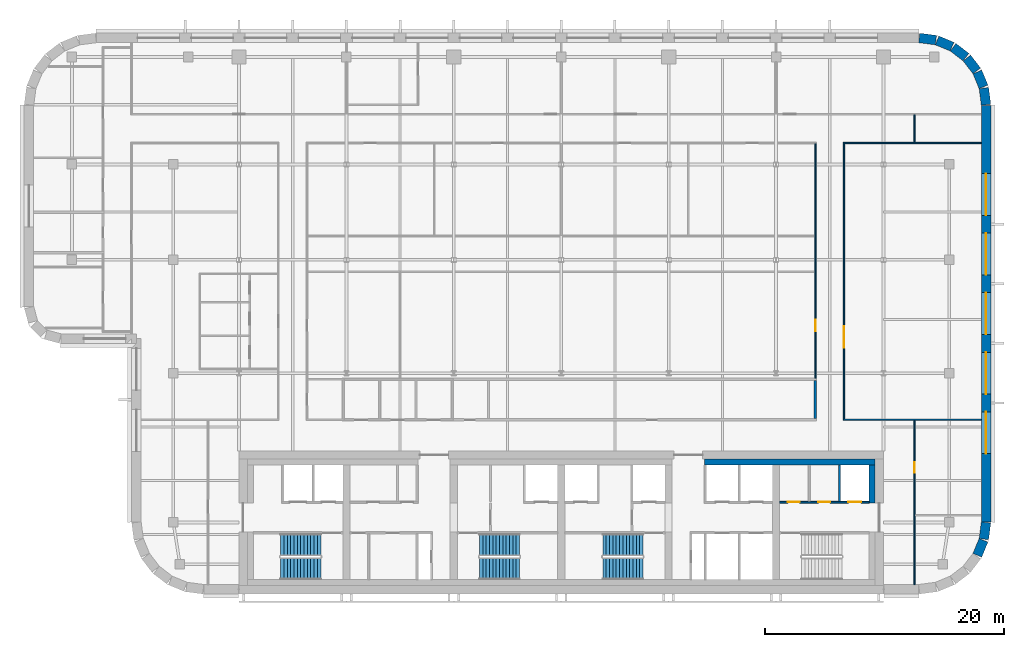
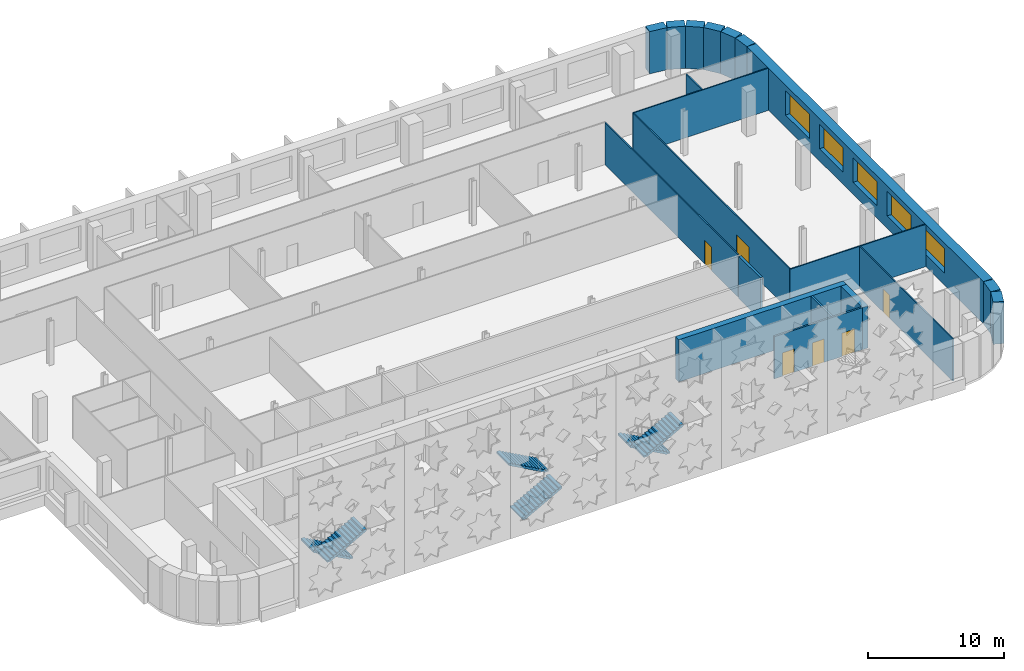
# One storey, part 12 of 18: 20 walls, 6 doors, 6 stair flights, 5 windows, 11 openings, 3 elements without a shape of their own.
"""IFC4 building model written with IfcOpenShell, lengths in metres."""

import ifcopenshell
import ifcopenshell.guid

model = None  # the IFC model being written
_history = None  # IfcOwnerHistory: only IFC2X3 demands one
_inside = {}  # id of a spatial element -> (the spatial element, [elements in it])
_under = {}  # id of a project, library or spatial element -> (it, [spatial elements below it])
_declared = {}  # id of a project -> (the project, [libraries it declares])
_typed = {}  # id of a type object -> (the type object, [elements of that type])
_made_of = {}  # id of a material, layer set ... -> (it, [elements and type objects made of it])


def new_model(schema):
    """Start an empty IFC model of exactly this schema.

    Asked for "IFC4X3", IfcOpenShell would pick the latest addendum, in which some entities
    have other attributes; the version numbers below select the first issue.
    IFC2X3 requires an IfcOwnerHistory on every rooted entity: one is made here for all.
    """
    global model, _history
    if schema == "IFC4X3":
        model = ifcopenshell.file(schema_version=(4, 3, 0, 0))
    else:
        model = ifcopenshell.file(schema=schema)
    _inside.clear()
    _under.clear()
    _declared.clear()
    _typed.clear()
    _made_of.clear()
    _history = None
    if model.schema == "IFC2X3":
        org = make("IfcOrganization", Name="unknown")
        user = make(
            "IfcPersonAndOrganization",
            ThePerson=make("IfcPerson", FamilyName="unknown"),
            TheOrganization=org,
        )
        app = make(
            "IfcApplication",
            ApplicationDeveloper=org,
            Version="unknown",
            ApplicationFullName="unknown",
            ApplicationIdentifier="unknown",
        )
        _history = make(
            "IfcOwnerHistory",
            OwningUser=user,
            OwningApplication=app,
            ChangeAction="ADDED",
            CreationDate=0,
        )
    return model


def make(cls, **values):
    """One entity of the class cls with the attributes given. An attribute that is None is left unset."""
    return model.create_entity(
        cls, **{name: value for name, value in values.items() if value is not None}
    )


def rooted(cls, **values):
    """An entity with a GlobalId (a new one), such as an element, a storey or a relation."""
    return make(cls, GlobalId=ifcopenshell.guid.new(), OwnerHistory=_history, **values)


def si_unit(unit_type, name, prefix=None):
    """IfcSIUnit, for example si_unit("LENGTHUNIT", "METRE", prefix="MILLI")."""
    return make("IfcSIUnit", UnitType=unit_type, Prefix=prefix, Name=name)


def assignment(units):
    """IfcUnitAssignment: the units of a project."""
    return None if units is None else make("IfcUnitAssignment", Units=units)


def point(xyz):
    """IfcCartesianPoint."""
    return None if xyz is None else make("IfcCartesianPoint", Coordinates=xyz)


def direction(xyz):
    """IfcDirection."""
    return None if xyz is None else make("IfcDirection", DirectionRatios=xyz)


def frame(location, z_axis=None, x_axis=None):
    """IfcAxis2Placement3D, a coordinate frame: its origin and axes. An axis left out is left unset."""
    return make(
        "IfcAxis2Placement3D",
        Location=point(location),
        Axis=direction(z_axis),
        RefDirection=direction(x_axis),
    )


def frame_2d(location, x_axis=None):
    """IfcAxis2Placement2D, a coordinate frame in the plane: its origin and x axis."""
    return make(
        "IfcAxis2Placement2D", Location=point(location), RefDirection=direction(x_axis)
    )


def origin():
    """The frame at (0, 0, 0) with its axes left unset."""
    return frame((0.0, 0.0, 0.0))


def place(relative_to, where):
    """IfcLocalPlacement: puts the frame where relative to a parent placement (None: the world)."""
    return make(
        "IfcLocalPlacement", PlacementRelTo=relative_to, RelativePlacement=where
    )


def context(
    kind, dimensions, precision=None, world=None, true_north=None, identifier=None
):
    """IfcGeometricRepresentationContext, for example the 3D "Model" context."""
    return make(
        "IfcGeometricRepresentationContext",
        ContextIdentifier=identifier,
        ContextType=kind,
        CoordinateSpaceDimension=dimensions,
        Precision=precision,
        WorldCoordinateSystem=world,
        TrueNorth=true_north,
    )


def subcontext(parent, identifier, kind, view, scale=None):
    """IfcGeometricRepresentationSubContext, for example "Body" below "Model"."""
    return make(
        "IfcGeometricRepresentationSubContext",
        ContextIdentifier=identifier,
        ContextType=kind,
        ParentContext=parent,
        TargetScale=scale,
        TargetView=view,
    )


def project(units=None, contexts=None):
    """IfcProject with its units and contexts."""
    return rooted(
        "IfcProject",
        Name="project",
        RepresentationContexts=contexts,
        UnitsInContext=assignment(units),
    )


def spatial(cls, under=None, at=None, **own):
    """A site, building, storey or space (cls), placed at a placement, below another one or the project."""
    s = rooted(cls, ObjectPlacement=at, **own)
    if under is not None:
        _under.setdefault(under.id(), (under, []))[1].append(s)
    return s


def polyline(points):
    """IfcPolyline through the points."""
    return make("IfcPolyline", Points=[point(p) for p in points])


def profile(cls, at=None, kind="AREA", **sizes):
    """A parametric profile (cls). Its sizes go by their IFC names, for example OverallWidth=200.0."""
    return make(cls, ProfileType=kind, Position=at, **sizes)


def rectangle(**sizes):
    """IfcRectangleProfileDef."""
    return profile("IfcRectangleProfileDef", **sizes)


def outline(outer, holes=None, kind="AREA"):
    """IfcArbitraryClosedProfileDef: a profile drawn as a closed curve; with holes, ...WithVoids."""
    if holes is None:
        return make("IfcArbitraryClosedProfileDef", ProfileType=kind, OuterCurve=outer)
    return make(
        "IfcArbitraryProfileDefWithVoids",
        ProfileType=kind,
        OuterCurve=outer,
        InnerCurves=holes,
    )


def extrude(swept, where, along, depth):
    """IfcExtrudedAreaSolid: the profile swept, set in the frame where, extruded along a direction by depth."""
    return make(
        "IfcExtrudedAreaSolid",
        SweptArea=swept,
        Position=where,
        ExtrudedDirection=direction(along),
        Depth=depth,
    )


def shape(context_of_items, identifier, shape_type, items):
    """IfcShapeRepresentation: the items that make up one representation, for example the "Body"."""
    return make(
        "IfcShapeRepresentation",
        ContextOfItems=context_of_items,
        RepresentationIdentifier=identifier,
        RepresentationType=shape_type,
        Items=items,
    )


def material(Name=None, Category=None):
    """IfcMaterial."""
    return make("IfcMaterial", Name=Name, Category=Category)


def layer(
    of_material, thickness, ventilated=None, Name=None, Category=None, Priority=None
):
    """IfcMaterialLayer: one layer of a wall or slab, of a material (None: an air gap)."""
    return make(
        "IfcMaterialLayer",
        Material=of_material,
        LayerThickness=thickness,
        IsVentilated=ventilated,
        Name=Name,
        Category=Category,
        Priority=Priority,
    )


def layer_set(layers, Name=None):
    """IfcMaterialLayerSet."""
    return make("IfcMaterialLayerSet", MaterialLayers=layers, LayerSetName=Name)


def made_of(thing, what):
    """Note that an element or type object is made of a material, layer set ...; save() writes the relation."""
    if what is not None:
        _made_of.setdefault(what.id(), (what, []))[1].append(thing)
    return thing


def type_object(cls, material=None, **own):
    """A type object (cls), such as IfcWallType, which elements share."""
    return made_of(rooted(cls, **own), material)


def element(
    cls,
    number,
    at=None,
    inside=None,
    cuts=None,
    type_object=None,
    material=None,
    context=None,
    identifier="Body",
    shape_type=None,
    held_by="IfcProductDefinitionShape",
    body=None,
    shapes=None,
    **own,
):
    """One element of the class cls, such as IfcWall. Its Tag is "e" and its number.

    at: its placement. inside: the storey or other place that contains it. cuts: it is an
    opening in that element (IfcRelVoidsElement). A single representation is given by context,
    identifier, shape_type and body (its items); several are given by shapes. held_by: the class
    of the entity that holds the representations. save() writes the other relations.
    """
    e = rooted(cls, Tag="e%d" % number, ObjectPlacement=at, **own)
    if body is not None:
        shapes = [shape(context, identifier, shape_type, body)]
    if shapes is not None:
        e.Representation = make(held_by, Representations=shapes)
    if inside is not None:
        _inside.setdefault(inside.id(), (inside, []))[1].append(e)
    if cuts is not None:
        rooted(
            "IfcRelVoidsElement", RelatingBuildingElement=cuts, RelatedOpeningElement=e
        )
    if type_object is not None:
        _typed.setdefault(type_object.id(), (type_object, []))[1].append(e)
    return made_of(e, material)


def fill(opening, filler):
    """IfcRelFillsElement: the door or window that sits in an opening."""
    return rooted(
        "IfcRelFillsElement",
        RelatingOpeningElement=opening,
        RelatedBuildingElement=filler,
    )


def aggregate(whole, parts):
    """IfcRelAggregates: a whole, such as a stair, and the parts it consists of."""
    return rooted("IfcRelAggregates", RelatingObject=whole, RelatedObjects=parts)


def save(model, path):
    """Write the relations noted so far, then the file.

    IfcRelAggregates (storeys below a building ...), IfcRelContainedInSpatialStructure (elements
    in a storey), IfcRelDefinesByType, IfcRelAssociatesMaterial and IfcRelDeclares: one each for
    every whole, place, type object, material and project.
    """
    for whole, parts in _under.values():
        aggregate(whole, parts)
    for where, things in _inside.values():
        rooted(
            "IfcRelContainedInSpatialStructure",
            RelatedElements=things,
            RelatingStructure=where,
        )
    for kind, things in _typed.values():
        rooted("IfcRelDefinesByType", RelatedObjects=things, RelatingType=kind)
    for what, things in _made_of.values():
        rooted("IfcRelAssociatesMaterial", RelatedObjects=things, RelatingMaterial=what)
    for by, libraries in _declared.values():
        rooted("IfcRelDeclares", RelatingContext=by, RelatedDefinitions=libraries)
    model.write(path)


model = new_model("IFC4")

# Units and contexts
model_context = context("Model", 3, precision=1e-05, world=origin(), true_north=direction((0.0, 1.0)))
body_context = subcontext(model_context, "Body", "Model", "MODEL_VIEW")
ifc_project = project(units=[si_unit("LENGTHUNIT", "METRE"), si_unit("AREAUNIT", "SQUARE_METRE"), si_unit("VOLUMEUNIT", "CUBIC_METRE"), si_unit("PLANEANGLEUNIT", "RADIAN"), si_unit("MASSUNIT", "GRAM", prefix="KILO")], contexts=[model_context])

# Site, building, storey
site_placement = place(None, origin())
site = spatial("IfcSite", under=ifc_project, at=site_placement, CompositionType="ELEMENT")
building_placement = place(site_placement, origin())
building = spatial("IfcBuilding", under=site, at=building_placement, Name="Zellij Exchange Tower", CompositionType="ELEMENT")
storey_placement = place(building_placement, frame((0.0, 0.0, 240.5)))
storey = spatial("IfcBuildingStorey", under=building, at=storey_placement, Name="L56", CompositionType="ELEMENT", Elevation=240.5)

# Walls
ifc_material_1 = material(Name="Concrete C30/37", Category="concrete")
ifc_layer_1 = layer(ifc_material_1, 0.5)
ifc_layer_set_1 = layer_set([ifc_layer_1], Name="Concrete C30/37")
wall_type_1 = type_object("IfcWallType", Name="CORE-LW 500 C30/37", PredefinedType="SHEAR", material=ifc_layer_set_1)
wall_1_placement = place(storey_placement, frame((12.0, -2.949951171875, 0.0), z_axis=(0.0, 0.0, 1.0), x_axis=(1.0, 0.0, 0.0)))
element("IfcWall", 1, at=wall_1_placement, inside=storey, type_object=wall_type_1, Name="Core wall lining front.2 L56", PredefinedType="SHEAR", context=body_context, shape_type="SweptSolid", body=[
    extrude(rectangle(XDim=14.300048828125, YDim=0.5, at=frame_2d((7.14990234375, 0.0))), origin(), (0.0, 0.0, 1.0), 3.800048828125),
])
wall_2_placement = place(storey_placement, frame((26.050048828125, -6.375, 0.0), z_axis=(0.0, 0.0, 1.0), x_axis=(0.0, 1.0, 0.0)))
element("IfcWall", 2, at=wall_2_placement, inside=storey, type_object=wall_type_1, Name="Core wall lining end e.1 L56", PredefinedType="SHEAR", context=body_context, shape_type="SweptSolid", body=[
    extrude(rectangle(XDim=3.175048828125, YDim=0.5, at=frame_2d((1.58740234375, 0.0))), origin(), (0.0, 0.0, 1.0), 3.800048828125),
])
ifc_material_2 = material(Name="Gypsum shaft wall system")
ifc_layer_2 = layer(ifc_material_2, 0.14990234375)
ifc_layer_set_2 = layer_set([ifc_layer_2], Name="Gypsum shaft wall system")
wall_type_2 = type_object("IfcWallType", Name="CORE-PW 150 Lift shaft wall", PredefinedType="PARTITIONING", material=ifc_layer_set_2)
wall_3_placement = place(storey_placement, frame((23.324951171875, -6.22509765625, 0.0), z_axis=(0.0, 0.0, 1.0), x_axis=(0.0, 1.0, 0.0)))
element("IfcWall", 3, at=wall_3_placement, inside=storey, type_object=wall_type_2, Name="Lift shaft wall L56", PredefinedType="PARTITIONING", context=body_context, shape_type="SweptSolid", body=[
    extrude(rectangle(XDim=3.025146484375, YDim=0.14990234375, at=frame_2d((1.5126953125, 0.0))), origin(), (0.0, 0.0, 1.0), 3.800048828125),
])

# Wall, openings, doors
wall_4_placement = place(storey_placement, frame((18.300048828125, -6.300048828125, 0.0), z_axis=(0.0, 0.0, 1.0), x_axis=(1.0, 0.0, 0.0)))
wall_4 = element("IfcWall", 4, at=wall_4_placement, inside=storey, type_object=wall_type_2, Name="Lift shaft wall L56", PredefinedType="PARTITIONING", context=body_context, shape_type="SweptSolid", body=[
    extrude(rectangle(XDim=7.5, YDim=0.14990234375, at=frame_2d((3.75, 0.0))), origin(), (0.0, 0.0, 1.0), 3.800048828125),
])
opening_1_placement = place(wall_4_placement, frame((0.699951171875, 0.0, 0.0)))
opening_1 = element("IfcOpeningElement", 5, at=opening_1_placement, cuts=wall_4, Name="Opening CA-29.25", PredefinedType="OPENING", context=body_context, shape_type="SweptSolid", body=[
    extrude(rectangle(XDim=1.0, YDim=2.10009765625, at=frame_2d((0.5, 1.050048828125))), frame((0.0, 0.0869140625, 0.0), z_axis=(0.0, -1.0, 0.0), x_axis=(1.0, 0.0, 0.0)), (0.0, 0.0, 1.0), 0.173828125),
])
opening_2_placement = place(wall_4_placement, frame((3.25, 0.0, 0.0)))
opening_2 = element("IfcOpeningElement", 6, at=opening_2_placement, cuts=wall_4, Name="Opening CA-29.26", PredefinedType="OPENING", context=body_context, shape_type="SweptSolid", body=[
    extrude(rectangle(XDim=1.0, YDim=2.10009765625, at=frame_2d((0.5, 1.050048828125))), frame((0.0, 0.0869140625, 0.0), z_axis=(0.0, -1.0, 0.0), x_axis=(1.0, 0.0, 0.0)), (0.0, 0.0, 1.0), 0.173828125),
])
opening_3_placement = place(wall_4_placement, frame((5.75, 0.0, 0.0)))
opening_3 = element("IfcOpeningElement", 7, at=opening_3_placement, cuts=wall_4, Name="Opening CA-29.27", PredefinedType="OPENING", context=body_context, shape_type="SweptSolid", body=[
    extrude(rectangle(XDim=1.10009765625, YDim=2.10009765625, at=frame_2d((0.550048828125, 1.050048828125))), frame((0.0, 0.0869140625, 0.0), z_axis=(0.0, -1.0, 0.0), x_axis=(1.0, 0.0, 0.0)), (0.0, 0.0, 1.0), 0.173828125),
])
ifc_material_3 = material(Name="Hollow metal fire door")
door_type_1 = type_object("IfcDoorType", Name="CORE-D CD Core room door 1000x2100 1 HR", OperationType="NOTDEFINED", PredefinedType="DOOR", material=ifc_material_3)
door_1_placement = place(opening_1_placement, origin())
door_1 = element("IfcDoor", 8, at=door_1_placement, inside=storey, type_object=door_type_1, Name="Core room door CA-29.25", OperationType="SINGLE_SWING_LEFT", OverallHeight=2.10009765625, OverallWidth=1.0, PredefinedType="DOOR", context=body_context, shape_type="SweptSolid", body=[
    extrude(rectangle(XDim=1.0, YDim=2.10009765625, at=frame_2d((0.5, 1.050048828125))), frame((0.0, 0.02490234375, 0.0), z_axis=(0.0, -1.0, 0.0), x_axis=(1.0, 0.0, 0.0)), (0.0, 0.0, 1.0), 0.050048828125),
])
fill(opening_1, door_1)
door_type_2 = type_object("IfcDoorType", Name="CORE-D CDA Core room door 1000x2100 1.5 HR", OperationType="NOTDEFINED", PredefinedType="DOOR", material=ifc_material_3)
door_2_placement = place(opening_2_placement, origin())
door_2 = element("IfcDoor", 9, at=door_2_placement, inside=storey, type_object=door_type_2, Name="Core room door CA-29.26", OperationType="SINGLE_SWING_LEFT", OverallHeight=2.10009765625, OverallWidth=1.0, PredefinedType="DOOR", context=body_context, shape_type="SweptSolid", body=[
    extrude(rectangle(XDim=1.0, YDim=2.10009765625, at=frame_2d((0.5, 1.050048828125))), frame((0.0, 0.02490234375, 0.0), z_axis=(0.0, -1.0, 0.0), x_axis=(1.0, 0.0, 0.0)), (0.0, 0.0, 1.0), 0.050048828125),
])
fill(opening_2, door_2)
door_type_3 = type_object("IfcDoorType", Name="CORE-D LD Lift landing door 1100x2100 1.5 HR", OperationType="NOTDEFINED", PredefinedType="DOOR", material=ifc_material_3)
door_3_placement = place(opening_3_placement, origin())
door_3 = element("IfcDoor", 10, at=door_3_placement, inside=storey, type_object=door_type_3, Name="Lift landing door CA-29.27", OperationType="SLIDING_TO_LEFT", OverallHeight=2.10009765625, OverallWidth=1.10009765625, PredefinedType="DOOR", context=body_context, shape_type="SweptSolid", body=[
    extrude(rectangle(XDim=1.10009765625, YDim=2.10009765625, at=frame_2d((0.550048828125, 1.050048828125))), frame((0.0, 0.02490234375, 0.0), z_axis=(0.0, -1.0, 0.0), x_axis=(1.0, 0.0, 0.0)), (0.0, 0.0, 1.0), 0.050048828125),
])
fill(opening_3, door_3)

# Walls
ifc_material_4 = material(Name="Precast concrete C40/50", Category="concrete")
ifc_layer_3 = layer(ifc_material_4, 0.800048828125)
ifc_layer_set_3 = layer_set([ifc_layer_3], Name="Precast concrete C40/50")
wall_type_3 = type_object("IfcWallType", Name="ENV-EW1 Precast stone-piered wall 800", PredefinedType="SOLIDWALL", material=ifc_layer_set_3)
wall_5_placement = place(storey_placement, frame((34.866943359375, -10.74951171875, 0.0), z_axis=(0.0, 0.0, 1.0), x_axis=(0.38276009378, 0.923847774587, 0.0)))
element("IfcWall", 11, at=wall_5_placement, inside=storey, type_object=wall_type_3, Name="fac.L56.05", PredefinedType="SOLIDWALL", context=body_context, shape_type="SweptSolid", body=[
    extrude(rectangle(XDim=1.35546875, YDim=0.800048828125, at=frame_2d((0.677734375, 0.0))), origin(), (0.0, 0.0, 1.0), 3.800048828125),
])
wall_6_placement = place(storey_placement, frame((35.412841796875, -9.396240234375, 0.0), z_axis=(0.0, 0.0, 1.0), x_axis=(0.130517283865, 0.99144603414, 0.0)))
element("IfcWall", 12, at=wall_6_placement, inside=storey, type_object=wall_type_3, Name="fac.L56.06", PredefinedType="SOLIDWALL", context=body_context, shape_type="SweptSolid", body=[
    extrude(rectangle(XDim=1.408447265625, YDim=0.800048828125, at=frame_2d((0.7041015625, 0.0))), origin(), (0.0, 0.0, 1.0), 3.800048828125),
])

# Wall, openings, windows
wall_7_placement = place(storey_placement, frame((35.60009765625, -7.947509765625, 0.0), z_axis=(0.0, 0.0, 1.0), x_axis=(0.0, 1.0, 0.0)))
wall_7 = element("IfcWall", 13, at=wall_7_placement, inside=storey, type_object=wall_type_3, Name="fac.L56.07", PredefinedType="SOLIDWALL", context=body_context, shape_type="SweptSolid", body=[
    extrude(rectangle(XDim=34.89501953125, YDim=0.800048828125, at=frame_2d((17.447509765625, 0.0))), origin(), (0.0, 0.0, 1.0), 3.800048828125),
])
opening_4_placement = place(wall_7_placement, frame((5.71240234375, 0.0, 1.10009765625)))
opening_4 = element("IfcOpeningElement", 14, at=opening_4_placement, cuts=wall_7, Name="Opening FZ4.01", PredefinedType="OPENING", context=body_context, shape_type="SweptSolid", body=[
    extrude(rectangle(XDim=3.5, YDim=2.199951171875, at=frame_2d((1.75, 1.10009765625))), frame((0.0, 0.412109375, 0.0), z_axis=(0.0, -1.0, 0.0), x_axis=(1.0, 0.0, 0.0)), (0.0, 0.0, 1.0), 0.823974609375),
])
opening_5_placement = place(wall_7_placement, frame((10.705078125, 0.0, 1.10009765625)))
opening_5 = element("IfcOpeningElement", 15, at=opening_5_placement, cuts=wall_7, Name="Opening FZ4.02", PredefinedType="OPENING", context=body_context, shape_type="SweptSolid", body=[
    extrude(rectangle(XDim=3.5, YDim=2.199951171875, at=frame_2d((1.75, 1.10009765625))), frame((0.0, 0.412109375, 0.0), z_axis=(0.0, -1.0, 0.0), x_axis=(1.0, 0.0, 0.0)), (0.0, 0.0, 1.0), 0.823974609375),
])
opening_6_placement = place(wall_7_placement, frame((15.697509765625, 0.0, 1.10009765625)))
opening_6 = element("IfcOpeningElement", 16, at=opening_6_placement, cuts=wall_7, Name="Opening FZ4.03", PredefinedType="OPENING", context=body_context, shape_type="SweptSolid", body=[
    extrude(rectangle(XDim=3.5, YDim=2.199951171875, at=frame_2d((1.75, 1.10009765625))), frame((0.0, 0.412109375, 0.0), z_axis=(0.0, -1.0, 0.0), x_axis=(1.0, 0.0, 0.0)), (0.0, 0.0, 1.0), 0.823974609375),
])
opening_7_placement = place(wall_7_placement, frame((20.690185546875, 0.0, 1.10009765625)))
opening_7 = element("IfcOpeningElement", 17, at=opening_7_placement, cuts=wall_7, Name="Opening FZ4.04", PredefinedType="OPENING", context=body_context, shape_type="SweptSolid", body=[
    extrude(rectangle(XDim=3.5, YDim=2.199951171875, at=frame_2d((1.75, 1.10009765625))), frame((0.0, 0.412109375, 0.0), z_axis=(0.0, -1.0, 0.0), x_axis=(1.0, 0.0, 0.0)), (0.0, 0.0, 1.0), 0.823974609375),
])
opening_8_placement = place(wall_7_placement, frame((25.6826171875, 0.0, 1.10009765625)))
opening_8 = element("IfcOpeningElement", 18, at=opening_8_placement, cuts=wall_7, Name="Opening FZ4.05", PredefinedType="OPENING", context=body_context, shape_type="SweptSolid", body=[
    extrude(rectangle(XDim=3.5, YDim=2.199951171875, at=frame_2d((1.75, 1.10009765625))), frame((0.0, 0.412109375, 0.0), z_axis=(0.0, -1.0, 0.0), x_axis=(1.0, 0.0, 0.0)), (0.0, 0.0, 1.0), 0.823974609375),
])
ifc_material_5 = material(Name="Aluminium frame with insulating glass", Category="aluminium")
window_type = type_object("IfcWindowType", Name="ENV-W7 Window 3500x2200", PartitioningType="SINGLE_PANEL", PredefinedType="WINDOW", material=ifc_material_5)
window_1_placement = place(opening_4_placement, origin())
window_1 = element("IfcWindow", 19, at=window_1_placement, inside=storey, type_object=window_type, Name="Window FZ4.01", OverallHeight=2.199951171875, OverallWidth=3.5, PartitioningType="SINGLE_PANEL", PredefinedType="WINDOW", context=body_context, shape_type="SweptSolid", body=[
    extrude(rectangle(XDim=3.5, YDim=2.199951171875, at=frame_2d((1.75, 1.10009765625))), frame((0.0, 0.030029296875, 0.0), z_axis=(0.0, -1.0, 0.0), x_axis=(1.0, 0.0, 0.0)), (0.0, 0.0, 1.0), 0.06005859375),
])
fill(opening_4, window_1)
window_2_placement = place(opening_5_placement, origin())
window_2 = element("IfcWindow", 20, at=window_2_placement, inside=storey, type_object=window_type, Name="Window FZ4.02", OverallHeight=2.199951171875, OverallWidth=3.5, PartitioningType="SINGLE_PANEL", PredefinedType="WINDOW", context=body_context, shape_type="SweptSolid", body=[
    extrude(rectangle(XDim=3.5, YDim=2.199951171875, at=frame_2d((1.75, 1.10009765625))), frame((0.0, 0.030029296875, 0.0), z_axis=(0.0, -1.0, 0.0), x_axis=(1.0, 0.0, 0.0)), (0.0, 0.0, 1.0), 0.06005859375),
])
fill(opening_5, window_2)
window_3_placement = place(opening_6_placement, origin())
window_3 = element("IfcWindow", 21, at=window_3_placement, inside=storey, type_object=window_type, Name="Window FZ4.03", OverallHeight=2.199951171875, OverallWidth=3.5, PartitioningType="SINGLE_PANEL", PredefinedType="WINDOW", context=body_context, shape_type="SweptSolid", body=[
    extrude(rectangle(XDim=3.5, YDim=2.199951171875, at=frame_2d((1.75, 1.10009765625))), frame((0.0, 0.030029296875, 0.0), z_axis=(0.0, -1.0, 0.0), x_axis=(1.0, 0.0, 0.0)), (0.0, 0.0, 1.0), 0.06005859375),
])
fill(opening_6, window_3)
window_4_placement = place(opening_7_placement, origin())
window_4 = element("IfcWindow", 22, at=window_4_placement, inside=storey, type_object=window_type, Name="Window FZ4.04", OverallHeight=2.199951171875, OverallWidth=3.5, PartitioningType="SINGLE_PANEL", PredefinedType="WINDOW", context=body_context, shape_type="SweptSolid", body=[
    extrude(rectangle(XDim=3.5, YDim=2.199951171875, at=frame_2d((1.75, 1.10009765625))), frame((0.0, 0.030029296875, 0.0), z_axis=(0.0, -1.0, 0.0), x_axis=(1.0, 0.0, 0.0)), (0.0, 0.0, 1.0), 0.06005859375),
])
fill(opening_7, window_4)
window_5_placement = place(opening_8_placement, origin())
window_5 = element("IfcWindow", 23, at=window_5_placement, inside=storey, type_object=window_type, Name="Window FZ4.05", OverallHeight=2.199951171875, OverallWidth=3.5, PartitioningType="SINGLE_PANEL", PredefinedType="WINDOW", context=body_context, shape_type="SweptSolid", body=[
    extrude(rectangle(XDim=3.5, YDim=2.199951171875, at=frame_2d((1.75, 1.10009765625))), frame((0.0, 0.030029296875, 0.0), z_axis=(0.0, -1.0, 0.0), x_axis=(1.0, 0.0, 0.0)), (0.0, 0.0, 1.0), 0.06005859375),
])
fill(opening_8, window_5)

# Walls
wall_8_placement = place(storey_placement, frame((35.5966796875, 26.999755859375, 0.0), z_axis=(0.0, 0.0, 1.0), x_axis=(-0.130517283865, 0.99144603414, 0.0)))
element("IfcWall", 24, at=wall_8_placement, inside=storey, type_object=wall_type_3, Name="fac.L56.08", PredefinedType="SOLIDWALL", context=body_context, shape_type="SweptSolid", body=[
    extrude(rectangle(XDim=1.408447265625, YDim=0.800048828125, at=frame_2d((0.7041015625, 0.0))), origin(), (0.0, 0.0, 1.0), 3.800048828125),
])
wall_9_placement = place(storey_placement, frame((35.3857421875, 28.497314453125, 0.0), z_axis=(0.0, 0.0, 1.0), x_axis=(-0.38276009378, 0.923847774587, 0.0)))
element("IfcWall", 25, at=wall_9_placement, inside=storey, type_object=wall_type_3, Name="fac.L56.09", PredefinedType="SOLIDWALL", context=body_context, shape_type="SweptSolid", body=[
    extrude(rectangle(XDim=1.35546875, YDim=0.800048828125, at=frame_2d((0.677734375, 0.0))), origin(), (0.0, 0.0, 1.0), 3.800048828125),
])
for number, where, z_axis, x_axis, name in (
    (26, (34.814697265625, 29.840087890625, 0.0), (0.0, 0.0, 1.0), (-0.608866226366, 0.793272915452, 0.0), "fac.L56.10"),
    (27, (33.91552734375, 30.9892578125, 0.0), (0.0, 0.0, 1.0), (-0.793272915452, 0.608866226366, 0.0), "fac.L56.11"),
):
    element("IfcWall", number, at=place(storey_placement, frame(where, z_axis=z_axis, x_axis=x_axis)), inside=storey, type_object=wall_type_3, Name=name, PredefinedType="SOLIDWALL", context=body_context, shape_type="SweptSolid", body=[
        extrude(rectangle(XDim=1.355712890625, YDim=0.800048828125, at=frame_2d((0.677734375, 0.0))), origin(), (0.0, 0.0, 1.0), 3.800048828125),
    ])
wall_10_placement = place(storey_placement, frame((32.74951171875, 31.866943359375, 0.0), z_axis=(0.0, 0.0, 1.0), x_axis=(-0.923847774587, 0.38276009378, 0.0)))
element("IfcWall", 28, at=wall_10_placement, inside=storey, type_object=wall_type_3, Name="fac.L56.12", PredefinedType="SOLIDWALL", context=body_context, shape_type="SweptSolid", body=[
    extrude(rectangle(XDim=1.35546875, YDim=0.800048828125, at=frame_2d((0.677734375, 0.0))), origin(), (0.0, 0.0, 1.0), 3.800048828125),
])
wall_11_placement = place(storey_placement, frame((31.396240234375, 32.412841796875, 0.0), z_axis=(0.0, 0.0, 1.0), x_axis=(-0.99144603414, 0.130517283865, 0.0)))
element("IfcWall", 29, at=wall_11_placement, inside=storey, type_object=wall_type_3, Name="fac.L56.13", PredefinedType="SOLIDWALL", context=body_context, shape_type="SweptSolid", body=[
    extrude(rectangle(XDim=1.408447265625, YDim=0.800048828125, at=frame_2d((0.7041015625, 0.0))), origin(), (0.0, 0.0, 1.0), 3.800048828125),
])
ifc_material_6 = material(Name="Blockwork partition", Category="masonry")
ifc_layer_4 = layer(ifc_material_6, 0.199951171875)
ifc_layer_set_4 = layer_set([ifc_layer_4], Name="Blockwork partition")
wall_type_4 = type_object("IfcWallType", Name="FIT-BLOCKWORK-200", PredefinedType="PARTITIONING", material=ifc_layer_set_4)
wall_12_placement = place(storey_placement, frame((21.300048828125, 0.699951171875, 0.0), z_axis=(0.0, 0.0, 1.0), x_axis=(0.0, 1.0, 0.0)))
element("IfcWall", 30, at=wall_12_placement, inside=storey, type_object=wall_type_4, Name="FIT-BLOCKWORK-200 015", PredefinedType="PARTITIONING", context=body_context, shape_type="SweptSolid", body=[
    extrude(rectangle(XDim=3.199951171875, YDim=0.199951171875, at=frame_2d((1.60009765625, 0.0))), origin(), (0.0, 0.0, 1.0), 3.800048828125),
])

# Wall, opening, door
ifc_material_7 = material(Name="Gypsum board partition on steel studs", Category="steel")
ifc_layer_5 = layer(ifc_material_7, 0.10009765625)
ifc_layer_set_5 = layer_set([ifc_layer_5], Name="Gypsum board partition on steel studs")
wall_type_5 = type_object("IfcWallType", Name="FIT-PARTITION-100", PredefinedType="PARTITIONING", material=ifc_layer_set_5)
wall_13_placement = place(storey_placement, frame((29.60009765625, -13.199951171875, 0.0), z_axis=(0.0, 0.0, 1.0), x_axis=(0.0, 1.0, 0.0)))
wall_13 = element("IfcWall", 31, at=wall_13_placement, inside=storey, type_object=wall_type_5, Name="FIT-PARTITION-100 002", PredefinedType="PARTITIONING", context=body_context, shape_type="SweptSolid", body=[
    extrude(rectangle(XDim=13.75, YDim=0.10009765625, at=frame_2d((6.875, 0.0))), origin(), (0.0, 0.0, 1.0), 3.800048828125),
])
opening_9_placement = place(wall_13_placement, frame((9.35009765625, 0.0, 0.0)))
opening_9 = element("IfcOpeningElement", 32, at=opening_9_placement, cuts=wall_13, Name="Opening O4C.02", PredefinedType="OPENING", context=body_context, shape_type="SweptSolid", body=[
    extrude(rectangle(XDim=0.89990234375, YDim=2.10009765625, at=frame_2d((0.449951171875, 1.050048828125))), frame((0.0, 0.06201171875, 0.0), z_axis=(0.0, -1.0, 0.0), x_axis=(1.0, 0.0, 0.0)), (0.0, 0.0, 1.0), 0.1240234375),
])
ifc_material_8 = material(Name="Timber door set", Category="wood")
door_type_4 = type_object("IfcDoorType", Name="FIT-D1-ROOM-900X2100", OperationType="SINGLE_SWING_LEFT", PredefinedType="DOOR", material=ifc_material_8)
door_4_placement = place(opening_9_placement, origin())
door_4 = element("IfcDoor", 33, at=door_4_placement, inside=storey, type_object=door_type_4, Name="Door O4C.02", OperationType="SINGLE_SWING_LEFT", OverallHeight=2.10009765625, OverallWidth=0.89990234375, PredefinedType="DOOR", context=body_context, shape_type="SweptSolid", body=[
    extrude(rectangle(XDim=0.89990234375, YDim=2.10009765625, at=frame_2d((0.449951171875, 1.050048828125))), frame((0.0, 0.02490234375, 0.0), z_axis=(0.0, -1.0, 0.0), x_axis=(1.0, 0.0, 0.0)), (0.0, 0.0, 1.0), 0.050048828125),
])
fill(opening_9, door_4)

# Wall
wall_14_placement = place(storey_placement, frame((23.64990234375, 0.60009765625, 0.0), z_axis=(0.0, 0.0, 1.0), x_axis=(1.0, 0.0, 0.0)))
element("IfcWall", 34, at=wall_14_placement, inside=storey, type_object=wall_type_5, Name="FIT-PARTITION-100 016", PredefinedType="PARTITIONING", context=body_context, shape_type="SweptSolid", body=[
    extrude(rectangle(XDim=11.550048828125, YDim=0.10009765625, at=frame_2d((5.77490234375, 0.0))), origin(), (0.0, 0.0, 1.0), 3.800048828125),
])

# Wall, opening, door
wall_15_placement = place(storey_placement, frame((23.699951171875, 0.64990234375, 0.0), z_axis=(0.0, 0.0, 1.0), x_axis=(0.0, 1.0, 0.0)))
wall_15 = element("IfcWall", 35, at=wall_15_placement, inside=storey, type_object=wall_type_5, Name="FIT-PARTITION-100 017", PredefinedType="PARTITIONING", context=body_context, shape_type="SweptSolid", body=[
    extrude(rectangle(XDim=23.10009765625, YDim=0.10009765625, at=frame_2d((11.550048828125, 0.0))), origin(), (0.0, 0.0, 1.0), 3.800048828125),
])
opening_10_placement = place(wall_15_placement, frame((6.0, 0.0, 0.0)))
opening_10 = element("IfcOpeningElement", 36, at=opening_10_placement, cuts=wall_15, Name="Opening O4C.10", PredefinedType="OPENING", context=body_context, shape_type="SweptSolid", body=[
    extrude(rectangle(XDim=1.800048828125, YDim=2.10009765625, at=frame_2d((0.89990234375, 1.050048828125))), frame((0.0, 0.06201171875, 0.0), z_axis=(0.0, -1.0, 0.0), x_axis=(1.0, 0.0, 0.0)), (0.0, 0.0, 1.0), 0.1240234375),
])
door_type_5 = type_object("IfcDoorType", Name="FIT-D3-DOUBLE-1800X2100", OperationType="DOUBLE_DOOR_SINGLE_SWING", PredefinedType="DOOR", material=ifc_material_8)
door_5_placement = place(opening_10_placement, origin())
door_5 = element("IfcDoor", 37, at=door_5_placement, inside=storey, type_object=door_type_5, Name="Door O4C.10", OperationType="DOUBLE_DOOR_SINGLE_SWING", OverallHeight=2.10009765625, OverallWidth=1.800048828125, PredefinedType="DOOR", context=body_context, shape_type="SweptSolid", body=[
    extrude(rectangle(XDim=1.800048828125, YDim=2.10009765625, at=frame_2d((0.89990234375, 1.050048828125))), frame((0.0, 0.02490234375, 0.0), z_axis=(0.0, -1.0, 0.0), x_axis=(1.0, 0.0, 0.0)), (0.0, 0.0, 1.0), 0.050048828125),
])
fill(opening_10, door_5)

wall_16_placement = place(storey_placement, frame((21.300048828125, 4.10009765625, 0.0), z_axis=(0.0, 0.0, 1.0), x_axis=(0.0, 1.0, 0.0)))
wall_16 = element("IfcWall", 38, at=wall_16_placement, inside=storey, type_object=wall_type_5, Name="FIT-PARTITION-100 022", PredefinedType="PARTITIONING", context=body_context, shape_type="SweptSolid", body=[
    extrude(rectangle(XDim=19.64990234375, YDim=0.10009765625, at=frame_2d((9.824951171875, 0.0))), origin(), (0.0, 0.0, 1.0), 3.800048828125),
])
opening_11_placement = place(wall_16_placement, frame((3.89990234375, 0.0, 0.0)))
opening_11 = element("IfcOpeningElement", 39, at=opening_11_placement, cuts=wall_16, Name="Opening O4C.12", PredefinedType="OPENING", context=body_context, shape_type="SweptSolid", body=[
    extrude(rectangle(XDim=1.0, YDim=2.10009765625, at=frame_2d((0.5, 1.050048828125))), frame((0.0, 0.06201171875, 0.0), z_axis=(0.0, -1.0, 0.0), x_axis=(1.0, 0.0, 0.0)), (0.0, 0.0, 1.0), 0.1240234375),
])
door_type_6 = type_object("IfcDoorType", Name="FIT-D2-WIDE-1000X2100", OperationType="SINGLE_SWING_LEFT", PredefinedType="DOOR", material=ifc_material_8)
door_6_placement = place(opening_11_placement, origin())
door_6 = element("IfcDoor", 40, at=door_6_placement, inside=storey, type_object=door_type_6, Name="Door O4C.12", OperationType="SINGLE_SWING_RIGHT", OverallHeight=2.10009765625, OverallWidth=1.0, PredefinedType="DOOR", context=body_context, shape_type="SweptSolid", body=[
    extrude(rectangle(XDim=1.0, YDim=2.10009765625, at=frame_2d((0.5, 1.050048828125))), frame((0.0, 0.02490234375, 0.0), z_axis=(0.0, -1.0, 0.0), x_axis=(1.0, 0.0, 0.0)), (0.0, 0.0, 1.0), 0.050048828125),
])
fill(opening_11, door_6)

# Walls
wall_17_placement = place(storey_placement, frame((23.64990234375, 23.800048828125, 0.0), z_axis=(0.0, 0.0, 1.0), x_axis=(1.0, 0.0, 0.0)))
element("IfcWall", 41, at=wall_17_placement, inside=storey, type_object=wall_type_5, Name="FIT-PARTITION-100 047", PredefinedType="PARTITIONING", context=body_context, shape_type="SweptSolid", body=[
    extrude(rectangle(XDim=11.550048828125, YDim=0.10009765625, at=frame_2d((5.77490234375, 0.0))), origin(), (0.0, 0.0, 1.0), 3.800048828125),
])
wall_18_placement = place(storey_placement, frame((29.60009765625, 23.85009765625, 0.0), z_axis=(0.0, 0.0, 1.0), x_axis=(0.0, 1.0, 0.0)))
element("IfcWall", 42, at=wall_18_placement, inside=storey, type_object=wall_type_5, Name="FIT-PARTITION-100 048", PredefinedType="PARTITIONING", context=body_context, shape_type="SweptSolid", body=[
    extrude(rectangle(XDim=2.2998046875, YDim=0.10009765625, at=frame_2d((1.14990234375, 0.0))), origin(), (0.0, 0.0, 1.0), 3.800048828125),
])

# Stair, stair flights
ifc_material_9 = material(Name="Concrete C40/50", Category="concrete")
stair_type = type_object("IfcStairType", Name="CORE-ST exit stair 1850 wide", PredefinedType="HALF_TURN_STAIR", material=ifc_material_9)
stair_1_placement = place(storey_placement, origin())
stair_1 = element("IfcStair", 43, at=stair_1_placement, inside=storey, type_object=stair_type, Name="L56 exit stair ST1", PredefinedType="HALF_TURN_STAIR")
stair_flight_type = type_object("IfcStairFlightType", Name="CORE-SF flight 1850 riser 153.8 going 280", PredefinedType="STRAIGHT", material=ifc_material_9)
stair_flight_1_placement = place(storey_placement, frame((-20.14990234375, -9.875, 0.0), z_axis=(0.0, 0.0, 1.0), x_axis=(-1.0, 0.0, 0.0)))
stair_flight_1 = element("IfcStairFlight", 44, at=stair_flight_1_placement, type_object=stair_flight_type, Name="ST1 flight 1", NumberOfRisers=13, NumberOfTreads=12, PredefinedType="STRAIGHT", RiserHeight=0.153846154, TreadLength=0.28, context=body_context, shape_type="SweptSolid", body=[
    extrude(outline(polyline([(0.0, 0.0), (0.0, 0.15380859375), (0.280029296875, 0.15380859375), (0.280029296875, 0.3076171875), (0.56005859375, 0.3076171875), (0.56005859375, 0.46142578125), (0.840087890625, 0.46142578125), (0.840087890625, 0.615478515625), (1.1201171875, 0.615478515625), (1.1201171875, 0.769287109375), (1.39990234375, 0.769287109375), (1.39990234375, 0.923095703125), (1.679931640625, 0.923095703125), (1.679931640625, 1.076904296875), (1.9599609375, 1.076904296875), (1.9599609375, 1.230712890625), (2.239990234375, 1.230712890625), (2.239990234375, 1.384521484375), (2.52001953125, 1.384521484375), (2.52001953125, 1.53857421875), (2.800048828125, 1.53857421875), (2.800048828125, 1.6923828125), (3.080078125, 1.6923828125), (3.080078125, 1.84619140625), (3.360107421875, 1.84619140625), (3.360107421875, 2.0), (3.360107421875, 1.675048828125), (0.311279296875, 0.0), (0.0, 0.0)])), frame((0.0, 0.925048828125, 0.0), z_axis=(0.0, -1.0, 0.0), x_axis=(1.0, 0.0, 0.0)), (0.0, 0.0, 1.0), 1.85009765625),
])
stair_flight_2_placement = place(storey_placement, frame((-23.510009765625, -11.875, 2.0), z_axis=(0.0, 0.0, 1.0), x_axis=(1.0, 0.0, 0.0)))
stair_flight_2 = element("IfcStairFlight", 45, at=stair_flight_2_placement, type_object=stair_flight_type, Name="ST1 flight 2", NumberOfRisers=13, NumberOfTreads=12, PredefinedType="STRAIGHT", RiserHeight=0.153846154, TreadLength=0.28, context=body_context, shape_type="SweptSolid", body=[
    extrude(outline(polyline([(0.0, 0.0), (0.0, 0.15380859375), (0.280029296875, 0.15380859375), (0.280029296875, 0.3076171875), (0.56005859375, 0.3076171875), (0.56005859375, 0.46142578125), (0.840087890625, 0.46142578125), (0.840087890625, 0.615478515625), (1.1201171875, 0.615478515625), (1.1201171875, 0.769287109375), (1.39990234375, 0.769287109375), (1.39990234375, 0.923095703125), (1.679931640625, 0.923095703125), (1.679931640625, 1.076904296875), (1.9599609375, 1.076904296875), (1.9599609375, 1.230712890625), (2.239990234375, 1.230712890625), (2.239990234375, 1.384521484375), (2.52001953125, 1.384521484375), (2.52001953125, 1.53857421875), (2.800048828125, 1.53857421875), (2.800048828125, 1.6923828125), (3.080078125, 1.6923828125), (3.080078125, 1.84619140625), (3.360107421875, 1.84619140625), (3.360107421875, 2.0), (3.360107421875, 1.675048828125), (0.311279296875, 0.0), (0.0, 0.0)])), frame((0.0, 0.925048828125, 0.0), z_axis=(0.0, -1.0, 0.0), x_axis=(1.0, 0.0, 0.0)), (0.0, 0.0, 1.0), 1.85009765625),
])
aggregate(stair_1, [stair_flight_1, stair_flight_2])

stair_2_placement = place(storey_placement, origin())
stair_2 = element("IfcStair", 46, at=stair_2_placement, inside=storey, type_object=stair_type, Name="L56 exit stair ST2", PredefinedType="HALF_TURN_STAIR")
stair_flight_3_placement = place(storey_placement, frame((-6.85009765625, -11.875, 0.0), z_axis=(0.0, 0.0, 1.0), x_axis=(1.0, 0.0, 0.0)))
stair_flight_3 = element("IfcStairFlight", 47, at=stair_flight_3_placement, type_object=stair_flight_type, Name="ST2 flight 1", NumberOfRisers=13, NumberOfTreads=12, PredefinedType="STRAIGHT", RiserHeight=0.153846154, TreadLength=0.28, context=body_context, shape_type="SweptSolid", body=[
    extrude(outline(polyline([(0.0, 0.0), (0.0, 0.15380859375), (0.280029296875, 0.15380859375), (0.280029296875, 0.3076171875), (0.56005859375, 0.3076171875), (0.56005859375, 0.46142578125), (0.840087890625, 0.46142578125), (0.840087890625, 0.615478515625), (1.1201171875, 0.615478515625), (1.1201171875, 0.769287109375), (1.39990234375, 0.769287109375), (1.39990234375, 0.923095703125), (1.679931640625, 0.923095703125), (1.679931640625, 1.076904296875), (1.9599609375, 1.076904296875), (1.9599609375, 1.230712890625), (2.239990234375, 1.230712890625), (2.239990234375, 1.384521484375), (2.52001953125, 1.384521484375), (2.52001953125, 1.53857421875), (2.800048828125, 1.53857421875), (2.800048828125, 1.6923828125), (3.080078125, 1.6923828125), (3.080078125, 1.84619140625), (3.360107421875, 1.84619140625), (3.360107421875, 2.0), (3.360107421875, 1.675048828125), (0.311279296875, 0.0), (0.0, 0.0)])), frame((0.0, 0.925048828125, 0.0), z_axis=(0.0, -1.0, 0.0), x_axis=(1.0, 0.0, 0.0)), (0.0, 0.0, 1.0), 1.85009765625),
])
stair_flight_4_placement = place(storey_placement, frame((-3.489990234375, -9.875, 2.0), z_axis=(0.0, 0.0, 1.0), x_axis=(-1.0, 0.0, 0.0)))
stair_flight_4 = element("IfcStairFlight", 48, at=stair_flight_4_placement, type_object=stair_flight_type, Name="ST2 flight 2", NumberOfRisers=13, NumberOfTreads=12, PredefinedType="STRAIGHT", RiserHeight=0.153846154, TreadLength=0.28, context=body_context, shape_type="SweptSolid", body=[
    extrude(outline(polyline([(0.0, 0.0), (0.0, 0.15380859375), (0.280029296875, 0.15380859375), (0.280029296875, 0.3076171875), (0.56005859375, 0.3076171875), (0.56005859375, 0.46142578125), (0.840087890625, 0.46142578125), (0.840087890625, 0.615478515625), (1.1201171875, 0.615478515625), (1.1201171875, 0.769287109375), (1.39990234375, 0.769287109375), (1.39990234375, 0.923095703125), (1.679931640625, 0.923095703125), (1.679931640625, 1.076904296875), (1.9599609375, 1.076904296875), (1.9599609375, 1.230712890625), (2.239990234375, 1.230712890625), (2.239990234375, 1.384521484375), (2.52001953125, 1.384521484375), (2.52001953125, 1.53857421875), (2.800048828125, 1.53857421875), (2.800048828125, 1.6923828125), (3.080078125, 1.6923828125), (3.080078125, 1.84619140625), (3.360107421875, 1.84619140625), (3.360107421875, 2.0), (3.360107421875, 1.675048828125), (0.311279296875, 0.0), (0.0, 0.0)])), frame((0.0, 0.925048828125, 0.0), z_axis=(0.0, -1.0, 0.0), x_axis=(1.0, 0.0, 0.0)), (0.0, 0.0, 1.0), 1.85009765625),
])
aggregate(stair_2, [stair_flight_3, stair_flight_4])

stair_3_placement = place(storey_placement, origin())
stair_3 = element("IfcStair", 49, at=stair_3_placement, inside=storey, type_object=stair_type, Name="L56 exit stair ST3", PredefinedType="HALF_TURN_STAIR")
stair_flight_5_placement = place(storey_placement, frame((6.85009765625, -9.875, 0.0), z_axis=(0.0, 0.0, 1.0), x_axis=(-1.0, 0.0, 0.0)))
stair_flight_5 = element("IfcStairFlight", 50, at=stair_flight_5_placement, type_object=stair_flight_type, Name="ST3 flight 1", NumberOfRisers=13, NumberOfTreads=12, PredefinedType="STRAIGHT", RiserHeight=0.153846154, TreadLength=0.28, context=body_context, shape_type="SweptSolid", body=[
    extrude(outline(polyline([(0.0, 0.0), (0.0, 0.15380859375), (0.280029296875, 0.15380859375), (0.280029296875, 0.3076171875), (0.56005859375, 0.3076171875), (0.56005859375, 0.46142578125), (0.840087890625, 0.46142578125), (0.840087890625, 0.615478515625), (1.1201171875, 0.615478515625), (1.1201171875, 0.769287109375), (1.39990234375, 0.769287109375), (1.39990234375, 0.923095703125), (1.679931640625, 0.923095703125), (1.679931640625, 1.076904296875), (1.9599609375, 1.076904296875), (1.9599609375, 1.230712890625), (2.239990234375, 1.230712890625), (2.239990234375, 1.384521484375), (2.52001953125, 1.384521484375), (2.52001953125, 1.53857421875), (2.800048828125, 1.53857421875), (2.800048828125, 1.6923828125), (3.080078125, 1.6923828125), (3.080078125, 1.84619140625), (3.360107421875, 1.84619140625), (3.360107421875, 2.0), (3.360107421875, 1.675048828125), (0.311279296875, 0.0), (0.0, 0.0)])), frame((0.0, 0.925048828125, 0.0), z_axis=(0.0, -1.0, 0.0), x_axis=(1.0, 0.0, 0.0)), (0.0, 0.0, 1.0), 1.85009765625),
])
stair_flight_6_placement = place(storey_placement, frame((3.489990234375, -11.875, 2.0), z_axis=(0.0, 0.0, 1.0), x_axis=(1.0, 0.0, 0.0)))
stair_flight_6 = element("IfcStairFlight", 51, at=stair_flight_6_placement, type_object=stair_flight_type, Name="ST3 flight 2", NumberOfRisers=13, NumberOfTreads=12, PredefinedType="STRAIGHT", RiserHeight=0.153846154, TreadLength=0.28, context=body_context, shape_type="SweptSolid", body=[
    extrude(outline(polyline([(0.0, 0.0), (0.0, 0.15380859375), (0.280029296875, 0.15380859375), (0.280029296875, 0.3076171875), (0.56005859375, 0.3076171875), (0.56005859375, 0.46142578125), (0.840087890625, 0.46142578125), (0.840087890625, 0.615478515625), (1.1201171875, 0.615478515625), (1.1201171875, 0.769287109375), (1.39990234375, 0.769287109375), (1.39990234375, 0.923095703125), (1.679931640625, 0.923095703125), (1.679931640625, 1.076904296875), (1.9599609375, 1.076904296875), (1.9599609375, 1.230712890625), (2.239990234375, 1.230712890625), (2.239990234375, 1.384521484375), (2.52001953125, 1.384521484375), (2.52001953125, 1.53857421875), (2.800048828125, 1.53857421875), (2.800048828125, 1.6923828125), (3.080078125, 1.6923828125), (3.080078125, 1.84619140625), (3.360107421875, 1.84619140625), (3.360107421875, 2.0), (3.360107421875, 1.675048828125), (0.311279296875, 0.0), (0.0, 0.0)])), frame((0.0, 0.925048828125, 0.0), z_axis=(0.0, -1.0, 0.0), x_axis=(1.0, 0.0, 0.0)), (0.0, 0.0, 1.0), 1.85009765625),
])
aggregate(stair_3, [stair_flight_5, stair_flight_6])

save(model, "model.ifc")
